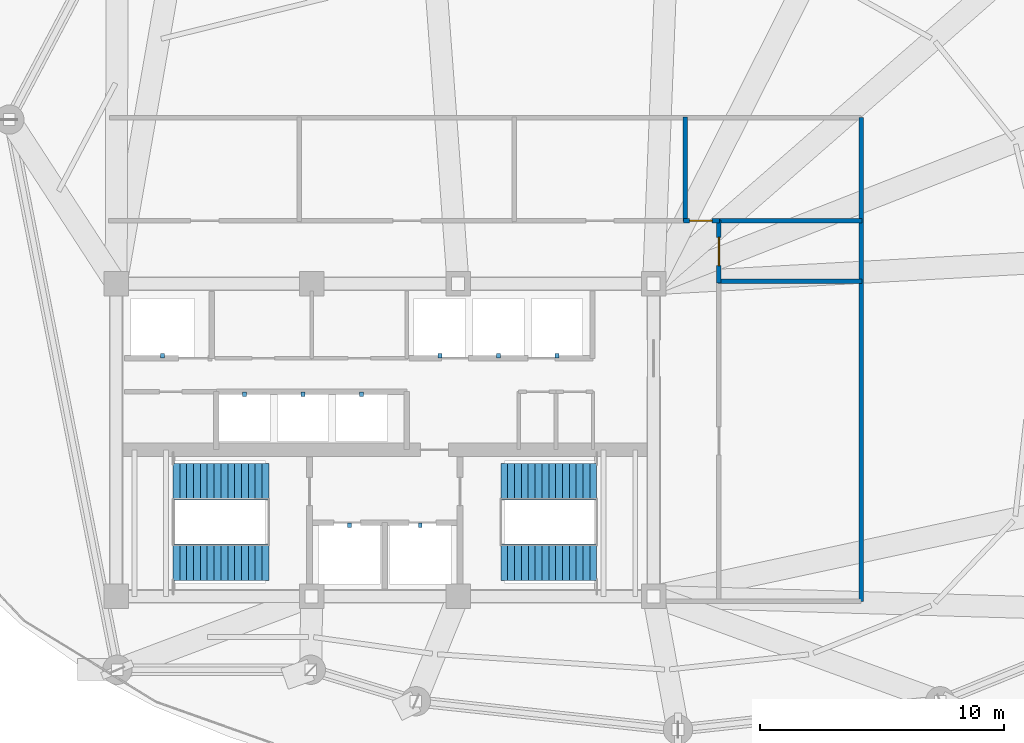
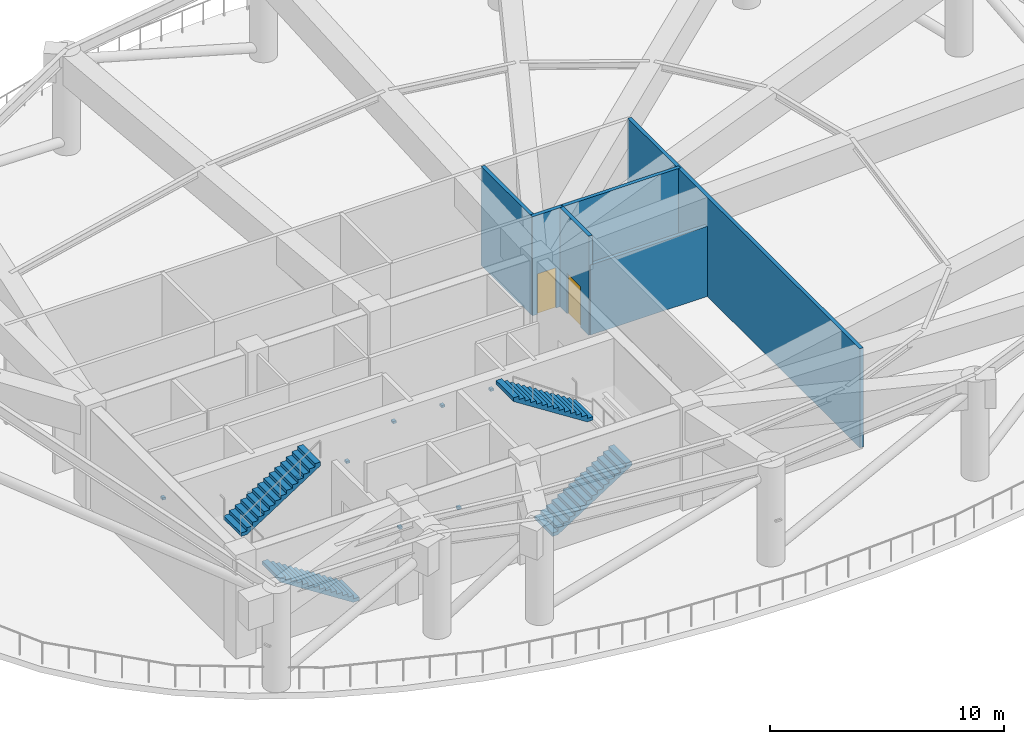
# One storey, part 7 of 9: 9 discrete accessories, 6 walls, 4 stair flights, 2 doors, 2 openings, 2 elements without a shape of their own.
"""IFC4 building model written with IfcOpenShell, lengths in metres."""

from ifc_helpers import new_model, si_unit, direction, frame, frame_2d, origin, origin_2d, place, context, subcontext, project, spatial, polyline, rectangle, outline, extrude, material, layer, layer_set, type_object, element, fill, aggregate, save


model = new_model("IFC4")

# Units and contexts
model_context = context("Model", 3, precision=1e-05, world=origin(), true_north=direction((0.0, 1.0)))
body_context = subcontext(model_context, "Body", "Model", "MODEL_VIEW")
ifc_project = project(units=[si_unit("LENGTHUNIT", "METRE"), si_unit("AREAUNIT", "SQUARE_METRE"), si_unit("VOLUMEUNIT", "CUBIC_METRE"), si_unit("PLANEANGLEUNIT", "RADIAN"), si_unit("MASSUNIT", "GRAM", prefix="KILO")], contexts=[model_context])

# Site, building, storey
site_placement = place(None, origin())
site = spatial("IfcSite", under=ifc_project, at=site_placement, CompositionType="ELEMENT")
building_placement = place(site_placement, origin())
building = spatial("IfcBuilding", under=site, at=building_placement, Name="Kazevale Care Tower and Concert Hall", CompositionType="ELEMENT")
storey_placement = place(building_placement, frame((0.0, 0.0, 181.800048828125)))
storey = spatial("IfcBuildingStorey", under=building, at=storey_placement, Name="L48", CompositionType="ELEMENT", Elevation=181.800048828125)

# Wall
ifc_material_1 = material(Name="Concrete C40 and Acoustic Gypsum", Category="concrete")
ifc_layer_1 = layer(ifc_material_1, 0.179931640625)
ifc_layer_set_1 = layer_set([ifc_layer_1], Name="Concrete C40 and Acoustic Gypsum")
wall_type = type_object("IfcWallType", Name="Fire-Rated Corridor & Party Wall 180", PredefinedType="PARTITIONING", material=ifc_layer_set_1)
wall_1_placement = place(storey_placement, frame((52.5, 23.39990234375, 0.0), z_axis=(0.0, 0.0, 1.0), x_axis=(0.0, 1.0, 0.0)))
element("IfcWall", 1, at=wall_1_placement, inside=storey, type_object=wall_type, Name="wall:L48:wf_enc_e", PredefinedType="PARTITIONING", context=body_context, shape_type="SweptSolid", body=[
    extrude(rectangle(XDim=19.800048828125, YDim=0.179931640625, at=frame_2d((9.89990234375, 0.0))), origin(), (0.0, 0.0, 1.0), 5.159912109375),
])

# Wall, opening, door
wall_2_placement = place(storey_placement, frame((45.235107421875, 38.97509765625, 0.0), z_axis=(0.0, 0.0, 1.0), x_axis=(1.0, 0.0, 0.0)))
wall_2 = element("IfcWall", 2, at=wall_2_placement, inside=storey, type_object=wall_type, Name="wall:L48:auto_005", PredefinedType="PARTITIONING", context=body_context, shape_type="SweptSolid", body=[
    extrude(rectangle(XDim=1.469970703125, YDim=0.179931640625, at=frame_2d((0.73486328125, 0.0))), origin(), (0.0, 0.0, 1.0), 5.159912109375),
])
opening_1_placement = place(wall_2_placement, frame((0.239990234375, 0.0, 0.0)))
opening_1 = element("IfcOpeningElement", 3, at=opening_1_placement, cuts=wall_2, Name="Opening ID-900", PredefinedType="OPENING", context=body_context, shape_type="SweptSolid", body=[
    extrude(rectangle(XDim=0.919921875, YDim=2.10009765625, at=frame_2d((0.4599609375, 1.050048828125))), frame((0.0, 0.099853515625, 0.0), z_axis=(0.0, -1.0, 0.0), x_axis=(1.0, 0.0, 0.0)), (0.0, 0.0, 1.0), 0.199951171875),
])
ifc_material_2 = material(Name="Oak Timber Fire Leaf", Category="wood")
door_type_1 = type_object("IfcDoorType", Name="Bathroom & Service Door 920x2100", OperationType="NOTDEFINED", PredefinedType="DOOR", material=ifc_material_2)
door_1_placement = place(opening_1_placement, origin())
door_1 = element("IfcDoor", 4, at=door_1_placement, inside=storey, type_object=door_type_1, Name="door:L48:ad_005", OperationType="SINGLE_SWING_LEFT", OverallHeight=2.10009765625, OverallWidth=0.919921875, PredefinedType="DOOR", context=body_context, shape_type="SweptSolid", body=[
    extrude(rectangle(XDim=0.919921875, YDim=2.10009765625, at=frame_2d((0.4599609375, 1.050048828125))), frame((0.0, 0.02490234375, 0.0), z_axis=(0.0, -1.0, 0.0), x_axis=(1.0, 0.0, 0.0)), (0.0, 0.0, 1.0), 0.050048828125),
])
fill(opening_1, door_1)

wall_3_placement = place(storey_placement, frame((46.675048828125, 39.0048828125, 0.0), z_axis=(0.0, 0.0, 1.0), x_axis=(0.0, -1.0, 0.0)))
wall_3 = element("IfcWall", 5, at=wall_3_placement, inside=storey, type_object=wall_type, Name="wall:L48:auto_006", PredefinedType="PARTITIONING", context=body_context, shape_type="SweptSolid", body=[
    extrude(rectangle(XDim=2.56982421875, YDim=0.179931640625, at=frame_2d((1.284912109375, 0.0))), origin(), (0.0, 0.0, 1.0), 5.159912109375),
])
opening_2_placement = place(wall_3_placement, frame((0.7099609375, 0.0, 0.0)))
opening_2 = element("IfcOpeningElement", 6, at=opening_2_placement, cuts=wall_3, Name="Opening FD-90", PredefinedType="OPENING", context=body_context, shape_type="SweptSolid", body=[
    extrude(rectangle(XDim=1.14990234375, YDim=2.10009765625, at=frame_2d((0.574951171875, 1.050048828125))), frame((0.0, 0.099853515625, 0.0), z_axis=(0.0, -1.0, 0.0), x_axis=(1.0, 0.0, 0.0)), (0.0, 0.0, 1.0), 0.199951171875),
])
ifc_material_3 = material(Name="Steel ASTM A572 Gr 50", Category="steel")
door_type_2 = type_object("IfcDoorType", Name="Pressurized Stair & Lobby Fire Door 1150x2100", OperationType="NOTDEFINED", PredefinedType="DOOR", material=ifc_material_3)
door_2_placement = place(opening_2_placement, origin())
door_2 = element("IfcDoor", 7, at=door_2_placement, inside=storey, type_object=door_type_2, Name="door:L48:ad_006", OperationType="SINGLE_SWING_LEFT", OverallHeight=2.10009765625, OverallWidth=1.14990234375, PredefinedType="DOOR", context=body_context, shape_type="SweptSolid", body=[
    extrude(rectangle(XDim=1.14990234375, YDim=2.10009765625, at=frame_2d((0.574951171875, 1.050048828125))), frame((0.0, 0.02490234375, 0.0), z_axis=(0.0, -1.0, 0.0), x_axis=(1.0, 0.0, 0.0)), (0.0, 0.0, 1.0), 0.050048828125),
])
fill(opening_2, door_2)

# Walls
wall_4_placement = place(storey_placement, frame((46.64501953125, 36.5, 0.0), z_axis=(0.0, 0.0, 1.0), x_axis=(1.0, 0.0, 0.0)))
element("IfcWall", 8, at=wall_4_placement, inside=storey, type_object=wall_type, Name="wall:L48:auto_008", PredefinedType="PARTITIONING", context=body_context, shape_type="SweptSolid", body=[
    extrude(rectangle(XDim=5.885009765625, YDim=0.179931640625, at=frame_2d((2.9423828125, 0.0))), origin(), (0.0, 0.0, 1.0), 3.64990234375),
])
wall_5_placement = place(storey_placement, frame((45.300048828125, 43.22998046875, 0.0), z_axis=(0.0, 0.0, 1.0), x_axis=(0.0, -1.0, 0.0)))
element("IfcWall", 9, at=wall_5_placement, inside=storey, type_object=wall_type, Name="wall:L48:auto_010", PredefinedType="PARTITIONING", context=body_context, shape_type="SweptSolid", body=[
    extrude(rectangle(XDim=4.284912109375, YDim=0.179931640625, at=frame_2d((2.142578125, 0.0))), origin(), (0.0, 0.0, 1.0), 5.159912109375),
])
wall_6_placement = place(storey_placement, frame((52.530029296875, 38.97509765625, 0.0), z_axis=(0.0, 0.0, 1.0), x_axis=(-1.0, 0.0, 0.0)))
element("IfcWall", 10, at=wall_6_placement, inside=storey, type_object=wall_type, Name="wall:L48:auto_011", PredefinedType="PARTITIONING", context=body_context, shape_type="SweptSolid", body=[
    extrude(rectangle(XDim=5.919921875, YDim=0.179931640625, at=frame_2d((2.9599609375, 0.0))), origin(), (0.0, 0.0, 1.0), 5.159912109375),
])

# Stair, stair flights
ifc_material_4 = material(Name="Concrete C40", Category="concrete")
stair_type = type_object("IfcStairType", Name="Exit Stair Assembly ST1-W", PredefinedType="HALF_TURN_STAIR", material=ifc_material_4)
stair_1_placement = place(storey_placement, origin())
stair_1 = element("IfcStair", 11, at=stair_1_placement, inside=storey, type_object=stair_type, Name="stair:L48:ST1", PredefinedType="HALF_TURN_STAIR")
ifc_layer_2 = layer(ifc_material_4, 0.159912109375)
ifc_layer_set_2 = layer_set([ifc_layer_2], Name="Concrete C40")
stair_flight_type = type_object("IfcStairFlightType", Name="Exit Stair Flight ST1-W", PredefinedType="STRAIGHT", material=ifc_layer_set_2)
stair_flight_1_placement = place(storey_placement, frame((28.25, 25.0, 0.0), z_axis=(0.0, 0.0, 1.0), x_axis=(-1.0, 0.0, 0.0)))
stair_flight_1 = element("IfcStairFlight", 12, at=stair_flight_1_placement, type_object=stair_flight_type, Name="ST1-W flight 1", NumberOfRisers=15, NumberOfTreads=14, PredefinedType="STRAIGHT", RiserHeight=0.18, TreadLength=0.28, context=body_context, shape_type="SweptSolid", body=[
    extrude(outline(polyline([(0.0, 0.0), (0.0, 0.179931640625), (0.280029296875, 0.179931640625), (0.280029296875, 0.360107421875), (0.56005859375, 0.360107421875), (0.56005859375, 0.5400390625), (0.840087890625, 0.5400390625), (0.840087890625, 0.719970703125), (1.1201171875, 0.719970703125), (1.1201171875, 0.89990234375), (1.39990234375, 0.89990234375), (1.39990234375, 1.080078125), (1.679931640625, 1.080078125), (1.679931640625, 1.260009765625), (1.9599609375, 1.260009765625), (1.9599609375, 1.43994140625), (2.239990234375, 1.43994140625), (2.239990234375, 1.6201171875), (2.52001953125, 1.6201171875), (2.52001953125, 1.800048828125), (2.800048828125, 1.800048828125), (2.800048828125, 1.97998046875), (3.080078125, 1.97998046875), (3.080078125, 2.159912109375), (3.360107421875, 2.159912109375), (3.360107421875, 2.340087890625), (3.639892578125, 2.340087890625), (3.639892578125, 2.52001953125), (3.919921875, 2.52001953125), (3.919921875, 2.699951171875), (3.919921875, 2.329833984375), (0.295654296875, 0.0), (0.0, 0.0)])), frame((0.0, 0.75, 0.0), z_axis=(0.0, -1.0, 0.0), x_axis=(1.0, 0.0, 0.0)), (0.0, 0.0, 1.0), 1.5),
])
stair_flight_2_placement = place(storey_placement, frame((24.330078125, 28.300048828125, 2.699951171875), z_axis=(0.0, 0.0, 1.0), x_axis=(1.0, 0.0, 0.0)))
stair_flight_2 = element("IfcStairFlight", 13, at=stair_flight_2_placement, type_object=stair_flight_type, Name="ST1-W flight 2", NumberOfRisers=15, NumberOfTreads=14, PredefinedType="STRAIGHT", RiserHeight=0.18, TreadLength=0.28, context=body_context, shape_type="SweptSolid", body=[
    extrude(outline(polyline([(0.0, 0.0), (0.0, 0.179931640625), (0.280029296875, 0.179931640625), (0.280029296875, 0.360107421875), (0.56005859375, 0.360107421875), (0.56005859375, 0.5400390625), (0.840087890625, 0.5400390625), (0.840087890625, 0.719970703125), (1.1201171875, 0.719970703125), (1.1201171875, 0.89990234375), (1.39990234375, 0.89990234375), (1.39990234375, 1.080078125), (1.679931640625, 1.080078125), (1.679931640625, 1.260009765625), (1.9599609375, 1.260009765625), (1.9599609375, 1.43994140625), (2.239990234375, 1.43994140625), (2.239990234375, 1.6201171875), (2.52001953125, 1.6201171875), (2.52001953125, 1.800048828125), (2.800048828125, 1.800048828125), (2.800048828125, 1.97998046875), (3.080078125, 1.97998046875), (3.080078125, 2.159912109375), (3.360107421875, 2.159912109375), (3.360107421875, 2.340087890625), (3.639892578125, 2.340087890625), (3.639892578125, 2.52001953125), (3.919921875, 2.52001953125), (3.919921875, 2.699951171875), (3.919921875, 2.329833984375), (0.295654296875, 0.0), (0.0, 0.0)])), frame((0.0, 0.75, 0.0), z_axis=(0.0, -1.0, 0.0), x_axis=(1.0, 0.0, 0.0)), (0.0, 0.0, 1.0), 1.5),
])
aggregate(stair_1, [stair_flight_1, stair_flight_2])

stair_2_placement = place(storey_placement, origin())
stair_2 = element("IfcStair", 14, at=stair_2_placement, inside=storey, type_object=stair_type, Name="stair:L48:ST2", PredefinedType="HALF_TURN_STAIR")
stair_flight_3_placement = place(storey_placement, frame((37.75, 25.0, 0.0), z_axis=(0.0, 0.0, 1.0), x_axis=(1.0, 0.0, 0.0)))
stair_flight_3 = element("IfcStairFlight", 15, at=stair_flight_3_placement, type_object=stair_flight_type, Name="ST1-W flight 1", NumberOfRisers=15, NumberOfTreads=14, PredefinedType="STRAIGHT", RiserHeight=0.18, TreadLength=0.28, context=body_context, shape_type="SweptSolid", body=[
    extrude(outline(polyline([(0.0, 0.0), (0.0, 0.179931640625), (0.280029296875, 0.179931640625), (0.280029296875, 0.360107421875), (0.56005859375, 0.360107421875), (0.56005859375, 0.5400390625), (0.840087890625, 0.5400390625), (0.840087890625, 0.719970703125), (1.1201171875, 0.719970703125), (1.1201171875, 0.89990234375), (1.39990234375, 0.89990234375), (1.39990234375, 1.080078125), (1.679931640625, 1.080078125), (1.679931640625, 1.260009765625), (1.9599609375, 1.260009765625), (1.9599609375, 1.43994140625), (2.239990234375, 1.43994140625), (2.239990234375, 1.6201171875), (2.52001953125, 1.6201171875), (2.52001953125, 1.800048828125), (2.800048828125, 1.800048828125), (2.800048828125, 1.97998046875), (3.080078125, 1.97998046875), (3.080078125, 2.159912109375), (3.360107421875, 2.159912109375), (3.360107421875, 2.340087890625), (3.639892578125, 2.340087890625), (3.639892578125, 2.52001953125), (3.919921875, 2.52001953125), (3.919921875, 2.699951171875), (3.919921875, 2.329833984375), (0.295654296875, 0.0), (0.0, 0.0)])), frame((0.0, 0.75, 0.0), z_axis=(0.0, -1.0, 0.0), x_axis=(1.0, 0.0, 0.0)), (0.0, 0.0, 1.0), 1.5),
])
stair_flight_4_placement = place(storey_placement, frame((41.669921875, 28.300048828125, 2.699951171875), z_axis=(0.0, 0.0, 1.0), x_axis=(-1.0, 0.0, 0.0)))
stair_flight_4 = element("IfcStairFlight", 16, at=stair_flight_4_placement, type_object=stair_flight_type, Name="ST1-W flight 2", NumberOfRisers=15, NumberOfTreads=14, PredefinedType="STRAIGHT", RiserHeight=0.18, TreadLength=0.28, context=body_context, shape_type="SweptSolid", body=[
    extrude(outline(polyline([(0.0, 0.0), (0.0, 0.179931640625), (0.280029296875, 0.179931640625), (0.280029296875, 0.360107421875), (0.56005859375, 0.360107421875), (0.56005859375, 0.5400390625), (0.840087890625, 0.5400390625), (0.840087890625, 0.719970703125), (1.1201171875, 0.719970703125), (1.1201171875, 0.89990234375), (1.39990234375, 0.89990234375), (1.39990234375, 1.080078125), (1.679931640625, 1.080078125), (1.679931640625, 1.260009765625), (1.9599609375, 1.260009765625), (1.9599609375, 1.43994140625), (2.239990234375, 1.43994140625), (2.239990234375, 1.6201171875), (2.52001953125, 1.6201171875), (2.52001953125, 1.800048828125), (2.800048828125, 1.800048828125), (2.800048828125, 1.97998046875), (3.080078125, 1.97998046875), (3.080078125, 2.159912109375), (3.360107421875, 2.159912109375), (3.360107421875, 2.340087890625), (3.639892578125, 2.340087890625), (3.639892578125, 2.52001953125), (3.919921875, 2.52001953125), (3.919921875, 2.699951171875), (3.919921875, 2.329833984375), (0.295654296875, 0.0), (0.0, 0.0)])), frame((0.0, 0.75, 0.0), z_axis=(0.0, -1.0, 0.0), x_axis=(1.0, 0.0, 0.0)), (0.0, 0.0, 1.0), 1.5),
])
aggregate(stair_2, [stair_flight_3, stair_flight_4])

# Discrete accessories
ifc_material_5 = material(Name="Stainless Steel 316", Category="steel")
discrete_accessory_type = type_object("IfcDiscreteAccessoryType", Name="Hoistway Guide-Rail Wall Bracket HBRK-1", PredefinedType="BRACKET", material=ifc_material_5)
for number, where, z_axis, x_axis, name in (
    (17, (31.550048828125, 26.52001953125, 1.239990234375), (0.0, 0.0, 1.0), (1.0, 0.0, 0.0), "hbrk:FFL-1:L48"),
    (18, (34.449951171875, 26.52001953125, 1.239990234375), (0.0, 0.0, 1.0), (1.0, 0.0, 0.0), "hbrk:FFL-2:L48"),
    (19, (23.89990234375, 33.449951171875, 1.239990234375), (0.0, 0.0, 1.0), (1.0, 0.0, 0.0), "hbrk:SVL-1:L48"),
    (20, (35.25, 33.449951171875, 1.239990234375), (0.0, 0.0, 1.0), (1.0, 0.0, 0.0), "hbrk:PM-1:L48"),
    (21, (37.64990234375, 33.449951171875, 1.239990234375), (0.0, 0.0, 1.0), (1.0, 0.0, 0.0), "hbrk:PM-2:L48"),
    (22, (40.050048828125, 33.449951171875, 1.239990234375), (0.0, 0.0, 1.0), (1.0, 0.0, 0.0), "hbrk:PM-3:L48"),
    (23, (27.25, 31.8798828125, 1.239990234375), (0.0, 0.0, 1.0), (1.0, 0.0, 0.0), "hbrk:PH-1:L48"),
    (24, (29.64990234375, 31.8798828125, 1.239990234375), (0.0, 0.0, 1.0), (1.0, 0.0, 0.0), "hbrk:PH-2:L48"),
    (25, (32.050048828125, 31.8798828125, 1.239990234375), (0.0, 0.0, 1.0), (1.0, 0.0, 0.0), "hbrk:PH-3:L48"),
):
    element("IfcDiscreteAccessory", number, at=place(storey_placement, frame(where, z_axis=z_axis, x_axis=x_axis)), inside=storey, type_object=discrete_accessory_type, Name=name, PredefinedType="BRACKET", context=body_context, shape_type="SweptSolid", body=[
        extrude(rectangle(XDim=0.159912109375, YDim=0.179931640625, at=origin_2d()), origin(), (0.0, 0.0, 1.0), 0.1201171875),
    ])

save(model, "model.ifc")
